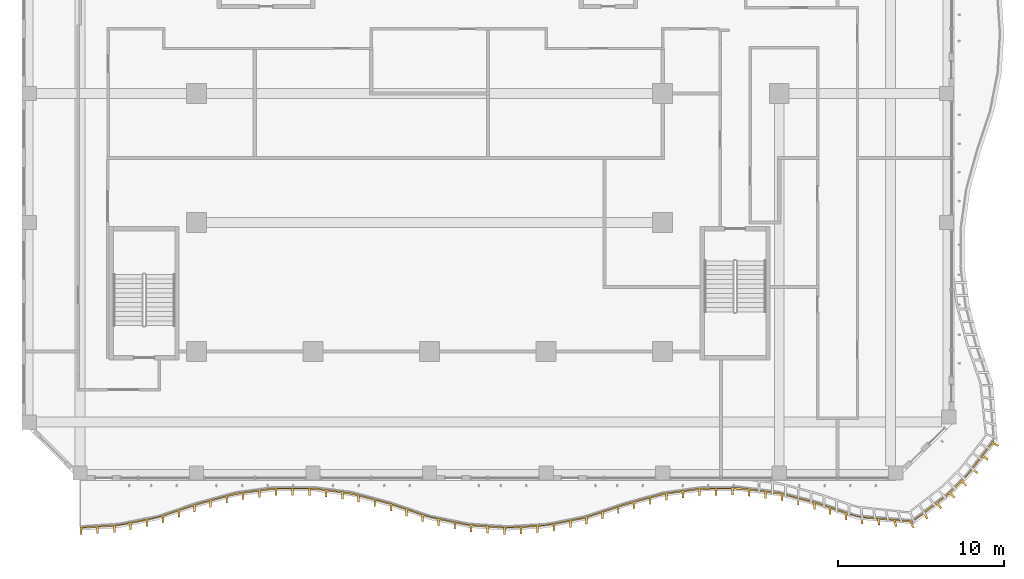
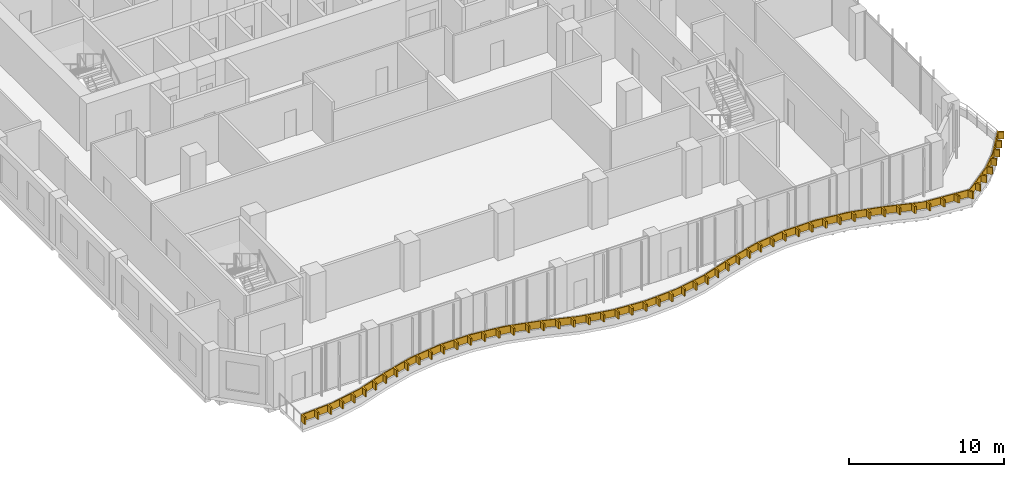
# One storey, part 21 of 27: 1 shading device.
"""IFC4 building model written with IfcOpenShell, lengths in metres."""

from ifc_helpers import new_model, si_unit, direction, frame, origin, place, context, subcontext, project, spatial, polyline, outline, extrude, source, transform, mapped, material, layer, layer_set, type_object, element, save


model = new_model("IFC4")

# Units and contexts
model_context = context("Model", 3, precision=1e-05, world=origin(), true_north=direction((0.0, 1.0)))
body_context = subcontext(model_context, "Body", "Model", "MODEL_VIEW")
ifc_project = project(units=[si_unit("LENGTHUNIT", "METRE"), si_unit("AREAUNIT", "SQUARE_METRE"), si_unit("VOLUMEUNIT", "CUBIC_METRE"), si_unit("PLANEANGLEUNIT", "RADIAN"), si_unit("MASSUNIT", "GRAM", prefix="KILO")], contexts=[model_context])

# Site, building, storey
site_placement = place(None, origin())
site = spatial("IfcSite", under=ifc_project, at=site_placement, CompositionType="ELEMENT")
building_placement = place(site_placement, origin())
building = spatial("IfcBuilding", under=site, at=building_placement, Name="Kilnfold Tower and Market Hall", CompositionType="ELEMENT")
storey_placement = place(building_placement, frame((0.0, 0.0, 112.60009765625)))
storey = spatial("IfcBuildingStorey", under=building, at=storey_placement, Name="L26", CompositionType="ELEMENT", Elevation=112.60009765625)

# Shading device
ifc_material = material(Name="Bronze anodised aluminium", Category="aluminium")
ifc_layer = layer(ifc_material, 0.550048828125)
ifc_layer_set = layer_set([ifc_layer], Name="Bronze anodised aluminium")
shading_device_type = type_object("IfcShadingDeviceType", Name="BRONZE SLAT FASCIA 550", PredefinedType="USERDEFINED", material=ifc_layer_set)
shared_shape = source(origin(), body_context, "Body", "SweptSolid", [
    extrude(outline(polyline([(-19.5, -26.25), (-19.5, -25.800048828125), (-17.166748046875, -25.646728515625), (-14.833251953125, -25.17919921875), (-12.5, -24.392333984375), (-10.166748046875, -23.753662109375), (-7.833251953125, -23.4404296875), (-5.5, -23.435791015625), (-3.166748046875, -23.739501953125), (-0.833251953125, -24.367919921875), (1.5, -25.159912109375), (3.833251953125, -25.637451171875), (6.166748046875, -25.7998046875), (8.5, -25.656005859375), (10.833251953125, -25.1982421875), (13.166748046875, -24.4169921875), (15.5, -23.76806640625), (17.833251953125, -23.4453125), (20.166748046875, -23.431396484375), (22.5, -23.7255859375), (24.833251953125, -24.34375), (27.166748046875, -25.14013671875), (30.505615234375, -25.427490234375), (32.633056640625, -23.7998046875), (33.7998046875, -22.633056640625), (35.378662109375, -20.569580078125), (35.364013671875, -20.715087890625), (35.699951171875, -20.866943359375), (35.624755859375, -20.9658203125), (35.2919921875, -20.80859375), (34.765869140625, -21.4951171875), (35.073974609375, -21.691650390625), (34.998779296875, -21.79052734375), (34.6943359375, -21.5888671875), (34.169921875, -22.276611328125), (34.447998046875, -22.516357421875), (34.372802734375, -22.615234375), (34.0986328125, -22.37060546875), (33.522216796875, -23.023681640625), (33.78369140625, -23.285400390625), (33.698974609375, -23.370361328125), (33.437255859375, -23.108642578125), (32.81494140625, -23.73095703125), (33.07666015625, -23.992431640625), (32.99169921875, -24.077392578125), (32.72998046875, -23.815673828125), (32.0458984375, -24.345703125), (32.272705078125, -24.6328125), (32.173828125, -24.7080078125), (31.951904296875, -24.417236328125), (31.264892578125, -24.9423828125), (31.447998046875, -25.2587890625), (31.34912109375, -25.333984375), (31.171142578125, -25.013916015625), (30.47119140625, -25.49609375), (30.610107421875, -25.83837890625), (30.4873046875, -25.82958984375), (30.35302734375, -25.48583984375), (29.4873046875, -25.412109375), (29.58544921875, -25.7646484375), (29.46240234375, -25.755859375), (29.369384765625, -25.402099609375), (28.504150390625, -25.32958984375), (28.560791015625, -25.690673828125), (28.437744140625, -25.681884765625), (28.385986328125, -25.31982421875), (27.52099609375, -25.248779296875), (27.535888671875, -25.61669921875), (27.412841796875, -25.60791015625), (27.403076171875, -25.2392578125), (26.561279296875, -25.013427734375), (26.561279296875, -25.383544921875), (26.44775390625, -25.3447265625), (26.44775390625, -24.974853515625), (25.614990234375, -24.6904296875), (25.614990234375, -25.060546875), (25.501220703125, -25.021728515625), (25.501220703125, -24.651611328125), (24.6650390625, -24.379150390625), (24.6650390625, -24.7490234375), (24.549072265625, -24.718505859375), (24.549072265625, -24.348388671875), (23.6982421875, -24.123046875), (23.6982421875, -24.492919921875), (23.582275390625, -24.46240234375), (23.582275390625, -24.09228515625), (22.731689453125, -23.866943359375), (22.731689453125, -24.237060546875), (22.61572265625, -24.206298828125), (22.61572265625, -23.836181640625), (21.74560546875, -23.71044921875), (21.74560546875, -24.08056640625), (21.626708984375, -24.0654296875), (21.626708984375, -23.695556640625), (20.75341796875, -23.58544921875), (20.75341796875, -23.95556640625), (20.634521484375, -23.9404296875), (20.634521484375, -23.570556640625), (19.758056640625, -23.513916015625), (19.758056640625, -23.8837890625), (19.63818359375, -23.884521484375), (19.63818359375, -23.5146484375), (18.75830078125, -23.52001953125), (18.75830078125, -23.889892578125), (18.63818359375, -23.890625), (18.63818359375, -23.5205078125), (17.7587890625, -23.53564453125), (17.7587890625, -23.90576171875), (17.639892578125, -23.922119140625), (17.639892578125, -23.552001953125), (16.768310546875, -23.672607421875), (16.768310546875, -24.042724609375), (16.6494140625, -24.05908203125), (16.6494140625, -23.689208984375), (15.777587890625, -23.809814453125), (15.777587890625, -24.1796875), (15.658935546875, -24.196044921875), (15.658935546875, -23.826171875), (14.806640625, -24.041015625), (14.806640625, -24.410888671875), (14.691162109375, -24.443115234375), (14.691162109375, -24.072998046875), (13.84326171875, -24.308837890625), (13.84326171875, -24.678955078125), (13.727783203125, -24.711181640625), (13.727783203125, -24.341064453125), (12.884521484375, -24.591552734375), (12.884521484375, -24.961669921875), (12.7705078125, -24.999755859375), (12.7705078125, -24.629638671875), (11.93603515625, -24.908935546875), (11.93603515625, -25.279052734375), (11.822265625, -25.317138671875), (11.822265625, -24.947021484375), (10.98779296875, -25.2265625), (10.98779296875, -25.596435546875), (10.8740234375, -25.634521484375), (10.8740234375, -25.2646484375), (10.011962890625, -25.439453125), (10.011962890625, -25.809326171875), (9.89404296875, -25.83251953125), (9.89404296875, -25.46240234375), (9.030517578125, -25.6318359375), (9.030517578125, -26.001953125), (8.912841796875, -26.02490234375), (8.912841796875, -25.655029296875), (8.04150390625, -25.764404296875), (8.04150390625, -26.13427734375), (7.921875, -26.1416015625), (7.921875, -25.771728515625), (7.04345703125, -25.82568359375), (7.04345703125, -26.19580078125), (6.923583984375, -26.203125), (6.923583984375, -25.833251953125), (6.04541015625, -25.87158203125), (6.04541015625, -26.241455078125), (5.92578125, -26.233154296875), (5.92578125, -25.863037109375), (5.0478515625, -25.802001953125), (5.0478515625, -26.172119140625), (4.927978515625, -26.16357421875), (4.927978515625, -25.793701171875), (4.05029296875, -25.732421875), (4.05029296875, -26.1025390625), (3.9306640625, -26.09423828125), (3.9306640625, -25.72412109375), (3.066650390625, -25.560546875), (3.066650390625, -25.930419921875), (2.94921875, -25.906494140625), (2.94921875, -25.53662109375), (2.0869140625, -25.360107421875), (2.0869140625, -25.72998046875), (1.969482421875, -25.7060546875), (1.969482421875, -25.3359375), (1.120361328125, -25.111083984375), (1.120361328125, -25.48095703125), (1.0068359375, -25.4423828125), (1.0068359375, -25.072509765625), (0.173583984375, -24.78955078125), (0.173583984375, -25.15966796875), (0.059814453125, -25.12109375), (0.059814453125, -24.7509765625), (-0.7734375, -24.468017578125), (-0.7734375, -24.838134765625), (-0.88818359375, -24.802978515625), (-0.88818359375, -24.43310546875), (-1.73779296875, -24.2041015625), (-1.73779296875, -24.57421875), (-1.853759765625, -24.54296875), (-1.853759765625, -24.173095703125), (-2.70361328125, -23.944091796875), (-2.70361328125, -24.314208984375), (-2.8193359375, -24.282958984375), (-2.8193359375, -23.9130859375), (-3.6826171875, -23.75244140625), (-3.6826171875, -24.122314453125), (-3.801513671875, -24.10693359375), (-3.801513671875, -23.73681640625), (-4.67431640625, -23.623291015625), (-4.67431640625, -23.993408203125), (-4.793212890625, -23.977783203125), (-4.793212890625, -23.60791015625), (-5.667236328125, -23.51611328125), (-5.667236328125, -23.88623046875), (-5.787353515625, -23.886474609375), (-5.787353515625, -23.5166015625), (-6.667236328125, -23.518310546875), (-6.667236328125, -23.88818359375), (-6.787353515625, -23.888427734375), (-6.787353515625, -23.518310546875), (-7.667236328125, -23.520263671875), (-7.667236328125, -23.89013671875), (-7.787353515625, -23.890380859375), (-7.787353515625, -23.5205078125), (-8.659912109375, -23.63134765625), (-8.659912109375, -24.00146484375), (-8.77880859375, -24.017333984375), (-8.77880859375, -23.6474609375), (-9.65087890625, -23.764404296875), (-9.65087890625, -24.134521484375), (-9.77001953125, -24.150390625), (-9.77001953125, -23.780517578125), (-10.62939453125, -23.960205078125), (-10.62939453125, -24.330078125), (-10.7451171875, -24.36181640625), (-10.7451171875, -23.991943359375), (-11.593994140625, -24.224365234375), (-11.593994140625, -24.59423828125), (-11.709716796875, -24.6259765625), (-11.709716796875, -24.255859375), (-12.557373046875, -24.49169921875), (-12.557373046875, -24.861572265625), (-12.671142578125, -24.89990234375), (-12.671142578125, -24.530029296875), (-13.5048828125, -24.811279296875), (-13.5048828125, -25.18115234375), (-13.61865234375, -25.219482421875), (-13.61865234375, -24.849609375), (-14.452392578125, -25.130859375), (-14.452392578125, -25.500732421875), (-14.566162109375, -25.5390625), (-14.566162109375, -25.169189453125), (-15.419921875, -25.376708984375), (-15.419921875, -25.74658203125), (-15.537353515625, -25.770263671875), (-15.537353515625, -25.400390625), (-16.400390625, -25.5732421875), (-16.400390625, -25.943115234375), (-16.517822265625, -25.966796875), (-16.517822265625, -25.5966796875), (-17.384521484375, -25.7412109375), (-17.384521484375, -26.111083984375), (-17.50439453125, -26.118896484375), (-17.50439453125, -25.7490234375), (-18.38232421875, -25.806640625), (-18.38232421875, -26.176513671875), (-18.502197265625, -26.1845703125), (-18.502197265625, -25.814453125), (-19.38037109375, -25.8720703125), (-19.38037109375, -26.2421875), (-19.5, -26.25)])), origin(), (0.0, 0.0, 1.0), 0.550048828125),
])
shading_device_placement = place(storey_placement, frame((0.0, 0.0, 0.5498046875)))
element("IfcShadingDevice", 1, at=shading_device_placement, inside=storey, type_object=shading_device_type, Name="Balcony slat fascia L26", ObjectType="SLAT", PredefinedType="USERDEFINED", context=body_context, shape_type="MappedRepresentation", body=[
    mapped(shared_shape, transform((0.0, 0.0, 0.0))),
])

save(model, "model.ifc")
